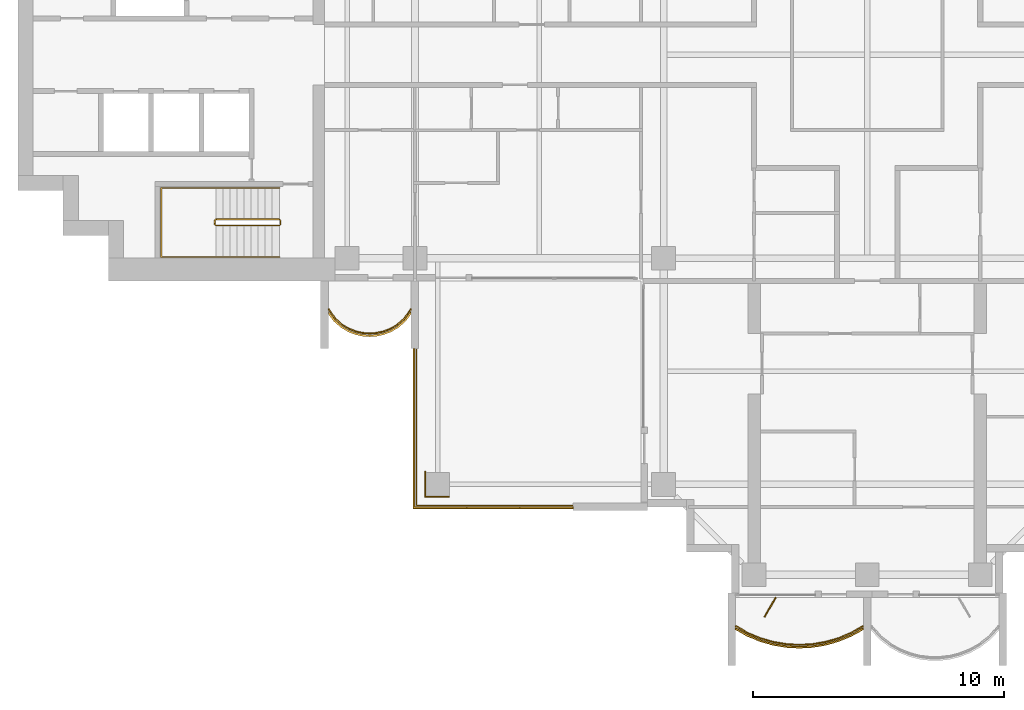
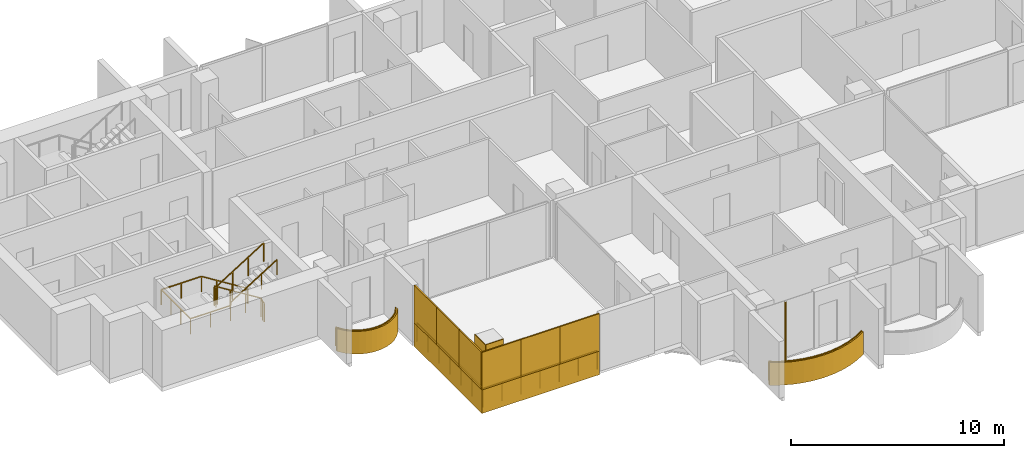
# One storey, part 14 of 17: 11 coverings, 5 railings, 1 shading device.
"""IFC4 building model written with IfcOpenShell, lengths in metres."""

import ifcopenshell
import ifcopenshell.guid

model = None  # the IFC model being written
_history = None  # IfcOwnerHistory: only IFC2X3 demands one
_inside = {}  # id of a spatial element -> (the spatial element, [elements in it])
_under = {}  # id of a project, library or spatial element -> (it, [spatial elements below it])
_declared = {}  # id of a project -> (the project, [libraries it declares])
_typed = {}  # id of a type object -> (the type object, [elements of that type])
_made_of = {}  # id of a material, layer set ... -> (it, [elements and type objects made of it])


def new_model(schema):
    """Start an empty IFC model of exactly this schema.

    Asked for "IFC4X3", IfcOpenShell would pick the latest addendum, in which some entities
    have other attributes; the version numbers below select the first issue.
    IFC2X3 requires an IfcOwnerHistory on every rooted entity: one is made here for all.
    """
    global model, _history
    if schema == "IFC4X3":
        model = ifcopenshell.file(schema_version=(4, 3, 0, 0))
    else:
        model = ifcopenshell.file(schema=schema)
    _inside.clear()
    _under.clear()
    _declared.clear()
    _typed.clear()
    _made_of.clear()
    _history = None
    if model.schema == "IFC2X3":
        org = make("IfcOrganization", Name="unknown")
        user = make(
            "IfcPersonAndOrganization",
            ThePerson=make("IfcPerson", FamilyName="unknown"),
            TheOrganization=org,
        )
        app = make(
            "IfcApplication",
            ApplicationDeveloper=org,
            Version="unknown",
            ApplicationFullName="unknown",
            ApplicationIdentifier="unknown",
        )
        _history = make(
            "IfcOwnerHistory",
            OwningUser=user,
            OwningApplication=app,
            ChangeAction="ADDED",
            CreationDate=0,
        )
    return model


def make(cls, **values):
    """One entity of the class cls with the attributes given. An attribute that is None is left unset."""
    return model.create_entity(
        cls, **{name: value for name, value in values.items() if value is not None}
    )


def rooted(cls, **values):
    """An entity with a GlobalId (a new one), such as an element, a storey or a relation."""
    return make(cls, GlobalId=ifcopenshell.guid.new(), OwnerHistory=_history, **values)


def si_unit(unit_type, name, prefix=None):
    """IfcSIUnit, for example si_unit("LENGTHUNIT", "METRE", prefix="MILLI")."""
    return make("IfcSIUnit", UnitType=unit_type, Prefix=prefix, Name=name)


def assignment(units):
    """IfcUnitAssignment: the units of a project."""
    return None if units is None else make("IfcUnitAssignment", Units=units)


def point(xyz):
    """IfcCartesianPoint."""
    return None if xyz is None else make("IfcCartesianPoint", Coordinates=xyz)


def direction(xyz):
    """IfcDirection."""
    return None if xyz is None else make("IfcDirection", DirectionRatios=xyz)


def frame(location, z_axis=None, x_axis=None):
    """IfcAxis2Placement3D, a coordinate frame: its origin and axes. An axis left out is left unset."""
    return make(
        "IfcAxis2Placement3D",
        Location=point(location),
        Axis=direction(z_axis),
        RefDirection=direction(x_axis),
    )


def frame_2d(location, x_axis=None):
    """IfcAxis2Placement2D, a coordinate frame in the plane: its origin and x axis."""
    return make(
        "IfcAxis2Placement2D", Location=point(location), RefDirection=direction(x_axis)
    )


def origin():
    """The frame at (0, 0, 0) with its axes left unset."""
    return frame((0.0, 0.0, 0.0))


def origin_2d():
    """The frame at (0, 0) in the plane with its x axis left unset."""
    return frame_2d((0.0, 0.0))


def place(relative_to, where):
    """IfcLocalPlacement: puts the frame where relative to a parent placement (None: the world)."""
    return make(
        "IfcLocalPlacement", PlacementRelTo=relative_to, RelativePlacement=where
    )


def context(
    kind, dimensions, precision=None, world=None, true_north=None, identifier=None
):
    """IfcGeometricRepresentationContext, for example the 3D "Model" context."""
    return make(
        "IfcGeometricRepresentationContext",
        ContextIdentifier=identifier,
        ContextType=kind,
        CoordinateSpaceDimension=dimensions,
        Precision=precision,
        WorldCoordinateSystem=world,
        TrueNorth=true_north,
    )


def subcontext(parent, identifier, kind, view, scale=None):
    """IfcGeometricRepresentationSubContext, for example "Body" below "Model"."""
    return make(
        "IfcGeometricRepresentationSubContext",
        ContextIdentifier=identifier,
        ContextType=kind,
        ParentContext=parent,
        TargetScale=scale,
        TargetView=view,
    )


def project(units=None, contexts=None):
    """IfcProject with its units and contexts."""
    return rooted(
        "IfcProject",
        Name="project",
        RepresentationContexts=contexts,
        UnitsInContext=assignment(units),
    )


def spatial(cls, under=None, at=None, **own):
    """A site, building, storey or space (cls), placed at a placement, below another one or the project."""
    s = rooted(cls, ObjectPlacement=at, **own)
    if under is not None:
        _under.setdefault(under.id(), (under, []))[1].append(s)
    return s


def polyline(points):
    """IfcPolyline through the points."""
    return make("IfcPolyline", Points=[point(p) for p in points])


def profile(cls, at=None, kind="AREA", **sizes):
    """A parametric profile (cls). Its sizes go by their IFC names, for example OverallWidth=200.0."""
    return make(cls, ProfileType=kind, Position=at, **sizes)


def rectangle(**sizes):
    """IfcRectangleProfileDef."""
    return profile("IfcRectangleProfileDef", **sizes)


def outline(outer, holes=None, kind="AREA"):
    """IfcArbitraryClosedProfileDef: a profile drawn as a closed curve; with holes, ...WithVoids."""
    if holes is None:
        return make("IfcArbitraryClosedProfileDef", ProfileType=kind, OuterCurve=outer)
    return make(
        "IfcArbitraryProfileDefWithVoids",
        ProfileType=kind,
        OuterCurve=outer,
        InnerCurves=holes,
    )


def extrude(swept, where, along, depth):
    """IfcExtrudedAreaSolid: the profile swept, set in the frame where, extruded along a direction by depth."""
    return make(
        "IfcExtrudedAreaSolid",
        SweptArea=swept,
        Position=where,
        ExtrudedDirection=direction(along),
        Depth=depth,
    )


def shape(context_of_items, identifier, shape_type, items):
    """IfcShapeRepresentation: the items that make up one representation, for example the "Body"."""
    return make(
        "IfcShapeRepresentation",
        ContextOfItems=context_of_items,
        RepresentationIdentifier=identifier,
        RepresentationType=shape_type,
        Items=items,
    )


def material(Name=None, Category=None):
    """IfcMaterial."""
    return make("IfcMaterial", Name=Name, Category=Category)


def layer(
    of_material, thickness, ventilated=None, Name=None, Category=None, Priority=None
):
    """IfcMaterialLayer: one layer of a wall or slab, of a material (None: an air gap)."""
    return make(
        "IfcMaterialLayer",
        Material=of_material,
        LayerThickness=thickness,
        IsVentilated=ventilated,
        Name=Name,
        Category=Category,
        Priority=Priority,
    )


def layer_set(layers, Name=None):
    """IfcMaterialLayerSet."""
    return make("IfcMaterialLayerSet", MaterialLayers=layers, LayerSetName=Name)


def made_of(thing, what):
    """Note that an element or type object is made of a material, layer set ...; save() writes the relation."""
    if what is not None:
        _made_of.setdefault(what.id(), (what, []))[1].append(thing)
    return thing


def type_object(cls, material=None, **own):
    """A type object (cls), such as IfcWallType, which elements share."""
    return made_of(rooted(cls, **own), material)


def element(
    cls,
    number,
    at=None,
    inside=None,
    cuts=None,
    type_object=None,
    material=None,
    context=None,
    identifier="Body",
    shape_type=None,
    held_by="IfcProductDefinitionShape",
    body=None,
    shapes=None,
    **own,
):
    """One element of the class cls, such as IfcWall. Its Tag is "e" and its number.

    at: its placement. inside: the storey or other place that contains it. cuts: it is an
    opening in that element (IfcRelVoidsElement). A single representation is given by context,
    identifier, shape_type and body (its items); several are given by shapes. held_by: the class
    of the entity that holds the representations. save() writes the other relations.
    """
    e = rooted(cls, Tag="e%d" % number, ObjectPlacement=at, **own)
    if body is not None:
        shapes = [shape(context, identifier, shape_type, body)]
    if shapes is not None:
        e.Representation = make(held_by, Representations=shapes)
    if inside is not None:
        _inside.setdefault(inside.id(), (inside, []))[1].append(e)
    if cuts is not None:
        rooted(
            "IfcRelVoidsElement", RelatingBuildingElement=cuts, RelatedOpeningElement=e
        )
    if type_object is not None:
        _typed.setdefault(type_object.id(), (type_object, []))[1].append(e)
    return made_of(e, material)


def aggregate(whole, parts):
    """IfcRelAggregates: a whole, such as a stair, and the parts it consists of."""
    return rooted("IfcRelAggregates", RelatingObject=whole, RelatedObjects=parts)


def save(model, path):
    """Write the relations noted so far, then the file.

    IfcRelAggregates (storeys below a building ...), IfcRelContainedInSpatialStructure (elements
    in a storey), IfcRelDefinesByType, IfcRelAssociatesMaterial and IfcRelDeclares: one each for
    every whole, place, type object, material and project.
    """
    for whole, parts in _under.values():
        aggregate(whole, parts)
    for where, things in _inside.values():
        rooted(
            "IfcRelContainedInSpatialStructure",
            RelatedElements=things,
            RelatingStructure=where,
        )
    for kind, things in _typed.values():
        rooted("IfcRelDefinesByType", RelatedObjects=things, RelatingType=kind)
    for what, things in _made_of.values():
        rooted("IfcRelAssociatesMaterial", RelatedObjects=things, RelatingMaterial=what)
    for by, libraries in _declared.values():
        rooted("IfcRelDeclares", RelatingContext=by, RelatedDefinitions=libraries)
    model.write(path)


model = new_model("IFC4")

# Units and contexts
model_context = context("Model", 3, precision=1e-05, world=origin(), true_north=direction((0.0, 1.0)))
body_context = subcontext(model_context, "Body", "Model", "MODEL_VIEW")
ifc_project = project(units=[si_unit("LENGTHUNIT", "METRE"), si_unit("AREAUNIT", "SQUARE_METRE"), si_unit("VOLUMEUNIT", "CUBIC_METRE"), si_unit("PLANEANGLEUNIT", "RADIAN"), si_unit("MASSUNIT", "GRAM", prefix="KILO")], contexts=[model_context])

# Site, building, storey
site_placement = place(None, origin())
site = spatial("IfcSite", under=ifc_project, at=site_placement, CompositionType="ELEMENT")
building_placement = place(site_placement, origin())
building = spatial("IfcBuilding", under=site, at=building_placement, Name="Perihelion Cross Residences", CompositionType="ELEMENT")
storey_placement = place(building_placement, frame((0.0, 0.0, 201.60009765625)))
storey = spatial("IfcBuildingStorey", under=building, at=storey_placement, Name="L50", CompositionType="ELEMENT", Elevation=201.60009765625)

# Coverings
ifc_material_1 = material(Name="Bronze anodised aluminium", Category="aluminium")
ifc_layer_1 = layer(ifc_material_1, 0.070068359375)
ifc_layer_set_1 = layer_set([ifc_layer_1], Name="Balcony fascia 1300")
covering_type_1 = type_object("IfcCoveringType", Name="Balcony fascia 1300", PredefinedType="CLADDING", material=ifc_layer_set_1)
covering_1_placement = place(storey_placement, frame((0.0, 0.0, -0.2001953125)))
element("IfcCovering", 1, at=covering_1_placement, inside=storey, type_object=covering_type_1, Name="Fascia BF1 L50 west side south bay 1", PredefinedType="CLADDING", context=body_context, shape_type="SweptSolid", body=[
    extrude(outline(polyline([(-21.226318359375, -10.616455078125), (-20.94091796875, -10.86328125), (-20.655517578125, -11.031494140625), (-20.370361328125, -11.142578125), (-20.085205078125, -11.206298828125), (-19.800048828125, -11.22705078125), (-19.514892578125, -11.206298828125), (-19.229736328125, -11.142578125), (-18.9443359375, -11.031494140625), (-18.6591796875, -10.86328125), (-18.373779296875, -10.616455078125), (-18.14990234375, -10.31689453125), (-18.14990234375, -10.199951171875), (-18.425048828125, -10.568603515625), (-18.699951171875, -10.806396484375), (-18.97509765625, -10.96875), (-19.25, -11.07568359375), (-19.52490234375, -11.136962890625), (-19.800048828125, -11.156982421875), (-20.074951171875, -11.136962890625), (-20.35009765625, -11.07568359375), (-20.625, -10.96875), (-20.89990234375, -10.806396484375), (-21.175048828125, -10.568603515625), (-21.449951171875, -10.199951171875), (-21.449951171875, -10.31689453125), (-21.226318359375, -10.616455078125)])), origin(), (0.0, 0.0, 1.0), 1.300048828125),
])
covering_2_placement = place(storey_placement, frame((0.0, 0.0, -0.2001953125)))
element("IfcCovering", 2, at=covering_2_placement, inside=storey, type_object=covering_type_1, Name="Fascia BF1 L50 south tip south bay 1", PredefinedType="CLADDING", context=body_context, shape_type="SweptSolid", body=[
    extrude(outline(polyline([(-4.7705078125, -23.1484375), (-4.2529296875, -23.36083984375), (-3.735107421875, -23.506591796875), (-3.217529296875, -23.591796875), (-2.699951171875, -23.6201171875), (-2.182373046875, -23.591796875), (-1.664794921875, -23.506591796875), (-1.147216796875, -23.36083984375), (-0.629638671875, -23.1484375), (-0.14990234375, -22.880126953125), (-0.14990234375, -22.800048828125), (-0.659912109375, -23.085205078125), (-1.169921875, -23.294677734375), (-1.679931640625, -23.438232421875), (-2.18994140625, -23.522216796875), (-2.699951171875, -23.550048828125), (-3.2099609375, -23.522216796875), (-3.719970703125, -23.438232421875), (-4.22998046875, -23.294677734375), (-4.739990234375, -23.085205078125), (-5.25, -22.800048828125), (-5.25, -22.880126953125), (-4.7705078125, -23.1484375)])), origin(), (0.0, 0.0, 1.0), 1.300048828125),
])

# Railings
ifc_material_2 = material(Name="Bronze anodised aluminium", Category="aluminium")
railing_type_1 = type_object("IfcRailingType", Name="Balcony guard 1100", PredefinedType="GUARDRAIL", material=ifc_material_2)
railing_1_placement = place(storey_placement, frame((-21.425048828125, -10.139892578125, 0.0)))
element("IfcRailing", 3, at=railing_1_placement, inside=storey, type_object=railing_type_1, Name="Guard GU1 L50 west side south bay 1 balcony", PredefinedType="GUARDRAIL", context=body_context, shape_type="SweptSolid", body=[
    extrude(rectangle(XDim=0.048095703125, YDim=0.048095703125, at=origin_2d()), frame((0.0, 0.0, 1.076171875), z_axis=(0.561260132269, -0.827639452857, 0.0), x_axis=(0.827639452857, 0.561260132269, 0.0)), (0.0, 0.0, 1.0), 0.4453125),
    extrude(rectangle(XDim=0.048095703125, YDim=0.048095703125, at=origin_2d()), frame((0.25, -0.36865234375, 1.076171875), z_axis=(0.756596535164, -0.653882009982, 0.0), x_axis=(0.653882009982, 0.756596535164, 0.0)), (0.0, 0.0, 1.0), 0.36376953125),
    extrude(rectangle(XDim=0.048095703125, YDim=0.048095703125, at=origin_2d()), frame((0.525146484375, -0.6064453125, 1.076171875), z_axis=(0.861048292884, -0.508523192511, 0.0), x_axis=(0.508523192511, 0.861048292884, 0.0)), (0.0, 0.0, 1.0), 0.3193359375),
    extrude(rectangle(XDim=0.048095703125, YDim=0.048095703125, at=origin_2d()), frame((0.800048828125, -0.768798828125, 1.076171875), z_axis=(0.931973602183, -0.362526143656, 0.0), x_axis=(0.362526143656, 0.931973602183, 0.0)), (0.0, 0.0, 1.0), 0.294921875),
    extrude(rectangle(XDim=0.048095703125, YDim=0.048095703125, at=origin_2d()), frame((1.074951171875, -0.875732421875, 1.076171875), z_axis=(0.976085059389, -0.21738895289, 0.0), x_axis=(0.21738895289, 0.976085059389, 0.0)), (0.0, 0.0, 1.0), 0.281982421875),
    extrude(rectangle(XDim=0.048095703125, YDim=0.048095703125, at=origin_2d()), frame((1.35009765625, -0.93701171875, 1.076171875), z_axis=(0.997358821833, -0.072631814734, 0.0), x_axis=(0.072631814734, 0.997358821833, 0.0)), (0.0, 0.0, 1.0), 0.275634765625),
    extrude(rectangle(XDim=0.048095703125, YDim=0.048095703125, at=origin_2d()), frame((1.625, -0.95703125, 1.076171875), z_axis=(0.997363488337, 0.072567707226, 0.0), x_axis=(-0.072567707226, 0.997363488337, 0.0)), (0.0, 0.0, 1.0), 0.27587890625),
    extrude(rectangle(XDim=0.048095703125, YDim=0.048095703125, at=origin_2d()), frame((1.900146484375, -0.93701171875, 1.076171875), z_axis=(0.976044077717, 0.217572880557, 0.0), x_axis=(-0.217572880557, 0.976044077717, 0.0)), (0.0, 0.0, 1.0), 0.28173828125),
    extrude(rectangle(XDim=0.048095703125, YDim=0.048095703125, at=origin_2d()), frame((2.175048828125, -0.875732421875, 1.076171875), z_axis=(0.931973602183, 0.362526143656, 0.0), x_axis=(-0.362526143656, 0.931973602183, 0.0)), (0.0, 0.0, 1.0), 0.294921875),
    extrude(rectangle(XDim=0.048095703125, YDim=0.048095703125, at=origin_2d()), frame((2.449951171875, -0.768798828125, 1.076171875), z_axis=(0.861245845072, 0.508188542123, 0.0), x_axis=(-0.508188542123, 0.861245845072, 0.0)), (0.0, 0.0, 1.0), 0.319580078125),
    extrude(rectangle(XDim=0.048095703125, YDim=0.048095703125, at=origin_2d()), frame((2.72509765625, -0.6064453125, 1.076171875), z_axis=(0.756309278473, 0.654214242658, 0.0), x_axis=(-0.654214242658, 0.756309278473, 0.0)), (0.0, 0.0, 1.0), 0.363525390625),
    extrude(rectangle(XDim=0.048095703125, YDim=0.048095703125, at=origin_2d()), frame((3.0, -0.36865234375, 1.076171875), z_axis=(0.561260132269, 0.827639452857, 0.0), x_axis=(-0.827639452857, 0.561260132269, 0.0)), (0.0, 0.0, 1.0), 0.4453125),
    extrude(rectangle(XDim=0.0419921875, YDim=0.0419921875, at=origin_2d()), origin(), (0.0, 0.0, 1.0), 1.052001953125),
    extrude(rectangle(XDim=0.0419921875, YDim=0.0419921875, at=origin_2d()), frame((0.25, -0.36865234375, 0.0)), (0.0, 0.0, 1.0), 1.052001953125),
    extrude(rectangle(XDim=0.0419921875, YDim=0.0419921875, at=origin_2d()), frame((0.525146484375, -0.6064453125, 0.0)), (0.0, 0.0, 1.0), 1.052001953125),
    extrude(rectangle(XDim=0.0419921875, YDim=0.0419921875, at=origin_2d()), frame((0.800048828125, -0.768798828125, 0.0)), (0.0, 0.0, 1.0), 1.052001953125),
    extrude(rectangle(XDim=0.0419921875, YDim=0.0419921875, at=origin_2d()), frame((1.074951171875, -0.875732421875, 0.0)), (0.0, 0.0, 1.0), 1.052001953125),
    extrude(rectangle(XDim=0.0419921875, YDim=0.0419921875, at=origin_2d()), frame((1.35009765625, -0.93701171875, 0.0)), (0.0, 0.0, 1.0), 1.052001953125),
    extrude(rectangle(XDim=0.0419921875, YDim=0.0419921875, at=origin_2d()), frame((1.625, -0.95703125, 0.0)), (0.0, 0.0, 1.0), 1.052001953125),
    extrude(rectangle(XDim=0.0419921875, YDim=0.0419921875, at=origin_2d()), frame((1.900146484375, -0.93701171875, 0.0)), (0.0, 0.0, 1.0), 1.052001953125),
    extrude(rectangle(XDim=0.0419921875, YDim=0.0419921875, at=origin_2d()), frame((2.175048828125, -0.875732421875, 0.0)), (0.0, 0.0, 1.0), 1.052001953125),
    extrude(rectangle(XDim=0.0419921875, YDim=0.0419921875, at=origin_2d()), frame((2.449951171875, -0.768798828125, 0.0)), (0.0, 0.0, 1.0), 1.052001953125),
    extrude(rectangle(XDim=0.0419921875, YDim=0.0419921875, at=origin_2d()), frame((2.72509765625, -0.6064453125, 0.0)), (0.0, 0.0, 1.0), 1.052001953125),
    extrude(rectangle(XDim=0.0419921875, YDim=0.0419921875, at=origin_2d()), frame((3.0, -0.36865234375, 0.0)), (0.0, 0.0, 1.0), 1.052001953125),
    extrude(rectangle(XDim=0.0419921875, YDim=0.0419921875, at=origin_2d()), frame((3.25, 0.0, 0.0)), (0.0, 0.0, 1.0), 1.052001953125),
])
railing_2_placement = place(storey_placement, frame((-5.22509765625, -22.739990234375, 0.0)))
element("IfcRailing", 4, at=railing_2_placement, inside=storey, type_object=railing_type_1, Name="Guard GU1 L50 south tip south bay 1 balcony", PredefinedType="GUARDRAIL", context=body_context, shape_type="SweptSolid", body=[
    extrude(rectangle(XDim=0.048095703125, YDim=0.048095703125, at=origin_2d()), frame((0.0, 0.0, 1.076171875), z_axis=(0.861900760591, -0.507076995033, 0.0), x_axis=(0.507076995033, 0.861900760591, 0.0)), (0.0, 0.0, 1.0), 0.562744140625),
    extrude(rectangle(XDim=0.048095703125, YDim=0.048095703125, at=origin_2d()), frame((0.485107421875, -0.285400390625, 1.076171875), z_axis=(0.925172605972, -0.379546636342, 0.0), x_axis=(0.379546636342, 0.925172605972, 0.0)), (0.0, 0.0, 1.0), 0.55126953125),
    extrude(rectangle(XDim=0.048095703125, YDim=0.048095703125, at=origin_2d()), frame((0.9951171875, -0.49462890625, 1.076171875), z_axis=(0.962594623481, -0.270945734134, 0.0), x_axis=(0.270945734134, 0.962594623481, 0.0)), (0.0, 0.0, 1.0), 0.52978515625),
    extrude(rectangle(XDim=0.048095703125, YDim=0.048095703125, at=origin_2d()), frame((1.505126953125, -0.63818359375, 1.076171875), z_axis=(0.98663538303, -0.162943612803, 0.0), x_axis=(0.162943612803, 0.98663538303, 0.0)), (0.0, 0.0, 1.0), 0.516845703125),
    extrude(rectangle(XDim=0.048095703125, YDim=0.048095703125, at=origin_2d()), frame((2.01513671875, -0.722412109375, 1.076171875), z_axis=(0.998540183677, -0.05401390175, 0.0), x_axis=(0.05401390175, 0.998540183677, 0.0)), (0.0, 0.0, 1.0), 0.5107421875),
    extrude(rectangle(XDim=0.048095703125, YDim=0.048095703125, at=origin_2d()), frame((2.525146484375, -0.75, 1.076171875), z_axis=(0.998540183677, 0.05401390175, 0.0), x_axis=(-0.05401390175, 0.998540183677, 0.0)), (0.0, 0.0, 1.0), 0.5107421875),
    extrude(rectangle(XDim=0.048095703125, YDim=0.048095703125, at=origin_2d()), frame((3.03515625, -0.722412109375, 1.076171875), z_axis=(0.98663538303, 0.162943612803, 0.0), x_axis=(-0.162943612803, 0.98663538303, 0.0)), (0.0, 0.0, 1.0), 0.516845703125),
    extrude(rectangle(XDim=0.048095703125, YDim=0.048095703125, at=origin_2d()), frame((3.545166015625, -0.63818359375, 1.076171875), z_axis=(0.962594623481, 0.270945734134, 0.0), x_axis=(-0.270945734134, 0.962594623481, 0.0)), (0.0, 0.0, 1.0), 0.52978515625),
    extrude(rectangle(XDim=0.048095703125, YDim=0.048095703125, at=origin_2d()), frame((4.05517578125, -0.49462890625, 1.076171875), z_axis=(0.925172605972, 0.379546636342, 0.0), x_axis=(-0.379546636342, 0.925172605972, 0.0)), (0.0, 0.0, 1.0), 0.55126953125),
    extrude(rectangle(XDim=0.048095703125, YDim=0.048095703125, at=origin_2d()), frame((4.565185546875, -0.285400390625, 1.076171875), z_axis=(0.861789164031, 0.507266632806, 0.0), x_axis=(-0.507266632806, 0.861789164031, 0.0)), (0.0, 0.0, 1.0), 0.562744140625),
    extrude(rectangle(XDim=0.0419921875, YDim=0.0419921875, at=origin_2d()), origin(), (0.0, 0.0, 1.0), 1.052001953125),
    extrude(rectangle(XDim=0.0419921875, YDim=0.0419921875, at=origin_2d()), frame((0.485107421875, -0.285400390625, 0.0)), (0.0, 0.0, 1.0), 1.052001953125),
    extrude(rectangle(XDim=0.0419921875, YDim=0.0419921875, at=origin_2d()), frame((0.9951171875, -0.49462890625, 0.0)), (0.0, 0.0, 1.0), 1.052001953125),
    extrude(rectangle(XDim=0.0419921875, YDim=0.0419921875, at=origin_2d()), frame((1.505126953125, -0.63818359375, 0.0)), (0.0, 0.0, 1.0), 1.052001953125),
    extrude(rectangle(XDim=0.0419921875, YDim=0.0419921875, at=origin_2d()), frame((2.01513671875, -0.722412109375, 0.0)), (0.0, 0.0, 1.0), 1.052001953125),
    extrude(rectangle(XDim=0.0419921875, YDim=0.0419921875, at=origin_2d()), frame((2.525146484375, -0.75, 0.0)), (0.0, 0.0, 1.0), 1.052001953125),
    extrude(rectangle(XDim=0.0419921875, YDim=0.0419921875, at=origin_2d()), frame((3.03515625, -0.722412109375, 0.0)), (0.0, 0.0, 1.0), 1.052001953125),
    extrude(rectangle(XDim=0.0419921875, YDim=0.0419921875, at=origin_2d()), frame((3.545166015625, -0.63818359375, 0.0)), (0.0, 0.0, 1.0), 1.052001953125),
    extrude(rectangle(XDim=0.0419921875, YDim=0.0419921875, at=origin_2d()), frame((4.05517578125, -0.49462890625, 0.0)), (0.0, 0.0, 1.0), 1.052001953125),
    extrude(rectangle(XDim=0.0419921875, YDim=0.0419921875, at=origin_2d()), frame((4.565185546875, -0.285400390625, 0.0)), (0.0, 0.0, 1.0), 1.052001953125),
    extrude(rectangle(XDim=0.0419921875, YDim=0.0419921875, at=origin_2d()), frame((5.050048828125, 0.0, 0.0)), (0.0, 0.0, 1.0), 1.052001953125),
])
railing_3_placement = place(storey_placement, frame((-11.739990234375, -17.93994140625, 0.0)))
element("IfcRailing", 5, at=railing_3_placement, inside=storey, type_object=railing_type_1, Name="Guard GU1 L50 pocket south-west 1", PredefinedType="GUARDRAIL", context=body_context, shape_type="SweptSolid", body=[
    extrude(rectangle(XDim=0.048095703125, YDim=0.048095703125, at=origin_2d()), frame((0.0, 0.0, 1.076171875), z_axis=(-1.0, 0.0, 0.0), x_axis=(0.0, -1.0, 0.0)), (0.0, 0.0, 1.0), 6.199951171875),
    extrude(rectangle(XDim=0.048095703125, YDim=0.048095703125, at=origin_2d()), frame((-6.199951171875, 0.0, 1.076171875), z_axis=(0.0, 1.0, 0.0), x_axis=(-1.0, 0.0, 0.0)), (0.0, 0.0, 1.0), 6.199951171875),
    extrude(rectangle(XDim=0.0419921875, YDim=0.0419921875, at=origin_2d()), origin(), (0.0, 0.0, 1.0), 1.052001953125),
    extrude(rectangle(XDim=0.0419921875, YDim=0.0419921875, at=origin_2d()), frame((-1.033203125, 0.0, 0.0)), (0.0, 0.0, 1.0), 1.052001953125),
    extrude(rectangle(XDim=0.0419921875, YDim=0.0419921875, at=origin_2d()), frame((-2.066650390625, 0.0, 0.0)), (0.0, 0.0, 1.0), 1.052001953125),
    extrude(rectangle(XDim=0.0419921875, YDim=0.0419921875, at=origin_2d()), frame((-3.10009765625, 0.0, 0.0)), (0.0, 0.0, 1.0), 1.052001953125),
    extrude(rectangle(XDim=0.0419921875, YDim=0.0419921875, at=origin_2d()), frame((-4.13330078125, 0.0, 0.0)), (0.0, 0.0, 1.0), 1.052001953125),
    extrude(rectangle(XDim=0.0419921875, YDim=0.0419921875, at=origin_2d()), frame((-5.16650390625, 0.0, 0.0)), (0.0, 0.0, 1.0), 1.052001953125),
    extrude(rectangle(XDim=0.0419921875, YDim=0.0419921875, at=origin_2d()), frame((-6.199951171875, 0.0, 0.0)), (0.0, 0.0, 1.0), 1.052001953125),
    extrude(rectangle(XDim=0.0419921875, YDim=0.0419921875, at=origin_2d()), frame((-6.199951171875, 1.033203125, 0.0)), (0.0, 0.0, 1.0), 1.052001953125),
    extrude(rectangle(XDim=0.0419921875, YDim=0.0419921875, at=origin_2d()), frame((-6.199951171875, 2.066650390625, 0.0)), (0.0, 0.0, 1.0), 1.052001953125),
    extrude(rectangle(XDim=0.0419921875, YDim=0.0419921875, at=origin_2d()), frame((-6.199951171875, 3.10009765625, 0.0)), (0.0, 0.0, 1.0), 1.052001953125),
    extrude(rectangle(XDim=0.0419921875, YDim=0.0419921875, at=origin_2d()), frame((-6.199951171875, 4.13330078125, 0.0)), (0.0, 0.0, 1.0), 1.052001953125),
    extrude(rectangle(XDim=0.0419921875, YDim=0.0419921875, at=origin_2d()), frame((-6.199951171875, 5.16650390625, 0.0)), (0.0, 0.0, 1.0), 1.052001953125),
    extrude(rectangle(XDim=0.0419921875, YDim=0.0419921875, at=origin_2d()), frame((-6.199951171875, 6.199951171875, 0.0)), (0.0, 0.0, 1.0), 1.052001953125),
])

# Coverings
ifc_material_3 = material(Name="Bronze anodised aluminium", Category="aluminium")
ifc_layer_2 = layer(ifc_material_3, 0.0400390625)
ifc_layer_set_2 = layer_set([ifc_layer_2], Name="Bronze column casing 40")
covering_type_2 = type_object("IfcCoveringType", Name="Bronze column casing 40", PredefinedType="CLADDING", material=ifc_layer_set_2)
covering_3_placement = place(storey_placement, frame((-17.594970703125, -17.10009765625, -0.25), z_axis=(0.0, 0.0, 1.0), x_axis=(1.0, 0.0, 0.0)))
element("IfcCovering", 6, at=covering_3_placement, inside=storey, type_object=covering_type_2, Name="Cladding CC1 L50 casing east-west no. 1", PredefinedType="CLADDING", context=body_context, shape_type="SweptSolid", body=[
    extrude(rectangle(XDim=0.0400390625, YDim=1.030029296875, at=origin_2d()), origin(), (0.0, 0.0, 1.0), 3.5),
])
covering_4_placement = place(storey_placement, frame((-17.10009765625, -17.594970703125, -0.25), z_axis=(0.0, 0.0, 1.0), x_axis=(1.0, 0.0, 0.0)))
element("IfcCovering", 7, at=covering_4_placement, inside=storey, type_object=covering_type_2, Name="Cladding CC1 L50 casing north-south no. 1", PredefinedType="CLADDING", context=body_context, shape_type="SweptSolid", body=[
    extrude(rectangle(XDim=0.949951171875, YDim=0.0400390625, at=origin_2d()), origin(), (0.0, 0.0, 1.0), 3.5),
])

# Shading device
ifc_material_4 = material(Name="Bronze anodised aluminium", Category="aluminium")
ifc_layer_3 = layer(ifc_material_4, 0.050048828125)
ifc_layer_set_3 = layer_set([ifc_layer_3], Name="Bronze fin 900")
shading_device_type = type_object("IfcShadingDeviceType", Name="Bronze fin 900", PredefinedType="USERDEFINED", material=ifc_layer_set_3)
shading_device_placement = place(storey_placement, frame((-3.862548828125, -21.98974609375, 0.0), z_axis=(0.0, 0.0, 1.0), x_axis=(-0.5, -0.866025403784, 0.0)))
element("IfcShadingDevice", 8, at=shading_device_placement, inside=storey, type_object=shading_device_type, Name="Fin FN1 L50 south tip south bay 1", ObjectType="FIN", PredefinedType="USERDEFINED", context=body_context, shape_type="SweptSolid", body=[
    extrude(rectangle(XDim=0.89990234375, YDim=0.050048828125, at=origin_2d()), origin(), (0.0, 0.0, 1.0), 3.25),
])

# Coverings
ifc_material_5 = material(Name="Bronze anodised aluminium", Category="aluminium")
ifc_layer_4 = layer(ifc_material_5, 0.070068359375)
ifc_layer_set_4 = layer_set([ifc_layer_4], Name="Pocket fascia 1350")
covering_type_3 = type_object("IfcCoveringType", Name="Pocket fascia 1350", PredefinedType="CLADDING", material=ifc_layer_set_4)
covering_5_placement = place(storey_placement, frame((0.0, 0.0, -0.25)))
element("IfcCovering", 9, at=covering_5_placement, inside=storey, type_object=covering_type_3, Name="Fascia BF2 L50 pocket south-west 1", PredefinedType="CLADDING", context=body_context, shape_type="SweptSolid", body=[
    extrude(outline(polyline([(-18.070068359375, -11.699951171875), (-18.070068359375, -18.070068359375), (-11.699951171875, -18.070068359375), (-11.699951171875, -18.0), (-18.0, -18.0), (-18.0, -11.699951171875), (-18.070068359375, -11.699951171875)])), origin(), (0.0, 0.0, 1.0), 1.349853515625),
])
ifc_material_6 = material(Name="Bronze perforated aluminium", Category="aluminium")
ifc_layer_5 = layer(ifc_material_6, 0.070068359375)
ifc_layer_set_5 = layer_set([ifc_layer_5], Name="Pocket solar screen, bronze perforated")
covering_type_4 = type_object("IfcCoveringType", Name="Pocket solar screen, bronze perforated", PredefinedType="CLADDING", material=ifc_layer_set_5)
covering_6_placement = place(storey_placement, frame((0.0, 0.0, 1.099853515625)))
element("IfcCovering", 10, at=covering_6_placement, inside=storey, type_object=covering_type_4, Name="Solar screen PS1 L50 pocket south-west no. 1", PredefinedType="CLADDING", context=body_context, shape_type="SweptSolid", body=[
    extrude(outline(polyline([(-18.0, -18.0), (-18.0, -15.89990234375), (-18.070068359375, -15.89990234375), (-18.070068359375, -18.0), (-18.0, -18.0)])), origin(), (0.0, 0.0, 1.0), 2.150146484375),
])
covering_7_placement = place(storey_placement, frame((0.0, 0.0, 1.099853515625)))
element("IfcCovering", 11, at=covering_7_placement, inside=storey, type_object=covering_type_4, Name="Solar screen PS1 L50 pocket south-west no. 2", PredefinedType="CLADDING", context=body_context, shape_type="SweptSolid", body=[
    extrude(outline(polyline([(-18.0, -15.89990234375), (-18.0, -13.800048828125), (-18.070068359375, -13.800048828125), (-18.070068359375, -15.89990234375), (-18.0, -15.89990234375)])), origin(), (0.0, 0.0, 1.0), 2.150146484375),
])
covering_8_placement = place(storey_placement, frame((0.0, 0.0, 1.099853515625)))
element("IfcCovering", 12, at=covering_8_placement, inside=storey, type_object=covering_type_4, Name="Solar screen PS1 L50 pocket south-west no. 3", PredefinedType="CLADDING", context=body_context, shape_type="SweptSolid", body=[
    extrude(outline(polyline([(-18.0, -13.800048828125), (-18.0, -11.699951171875), (-18.070068359375, -11.699951171875), (-18.070068359375, -13.800048828125), (-18.0, -13.800048828125)])), origin(), (0.0, 0.0, 1.0), 2.150146484375),
])
covering_9_placement = place(storey_placement, frame((0.0, 0.0, 1.099853515625)))
element("IfcCovering", 13, at=covering_9_placement, inside=storey, type_object=covering_type_4, Name="Solar screen PS1 L50 pocket south-west no. 4", PredefinedType="CLADDING", context=body_context, shape_type="SweptSolid", body=[
    extrude(outline(polyline([(-15.94677734375, -18.070068359375), (-15.94677734375, -18.0), (-18.070068359375, -18.0), (-18.070068359375, -18.070068359375), (-15.94677734375, -18.070068359375)])), origin(), (0.0, 0.0, 1.0), 2.150146484375),
])
covering_10_placement = place(storey_placement, frame((0.0, 0.0, 1.099853515625)))
element("IfcCovering", 14, at=covering_10_placement, inside=storey, type_object=covering_type_4, Name="Solar screen PS1 L50 pocket south-west no. 5", PredefinedType="CLADDING", context=body_context, shape_type="SweptSolid", body=[
    extrude(outline(polyline([(-13.8232421875, -18.070068359375), (-13.8232421875, -18.0), (-15.94677734375, -18.0), (-15.94677734375, -18.070068359375), (-13.8232421875, -18.070068359375)])), origin(), (0.0, 0.0, 1.0), 2.150146484375),
])
covering_11_placement = place(storey_placement, frame((0.0, 0.0, 1.099853515625)))
element("IfcCovering", 15, at=covering_11_placement, inside=storey, type_object=covering_type_4, Name="Solar screen PS1 L50 pocket south-west no. 6", PredefinedType="CLADDING", context=body_context, shape_type="SweptSolid", body=[
    extrude(outline(polyline([(-11.699951171875, -18.070068359375), (-11.699951171875, -18.0), (-13.8232421875, -18.0), (-13.8232421875, -18.070068359375), (-11.699951171875, -18.070068359375)])), origin(), (0.0, 0.0, 1.0), 2.150146484375),
])

# Railings
ifc_material_7 = material(Name="Stainless steel", Category="steel")
railing_type_2 = type_object("IfcRailingType", Name="Stair guard 1100", PredefinedType="GUARDRAIL", material=ifc_material_7)
railing_4_placement = place(storey_placement, frame((-23.35009765625, -6.75, 0.0)))
element("IfcRailing", 16, at=railing_4_placement, inside=storey, type_object=railing_type_2, Name="L50 ST-W2 stair guard 1", PredefinedType="GUARDRAIL", context=body_context, shape_type="SweptSolid", body=[
    extrude(rectangle(XDim=0.048095703125, YDim=0.048095703125, at=origin_2d()), frame((0.0, 0.0, 1.076171875), z_axis=(0.0, 1.0, 0.0), x_axis=(-1.0, 0.0, 0.0)), (0.0, 0.0, 1.0), 0.14990234375),
    extrude(rectangle(XDim=0.048095703125, YDim=0.048095703125, at=origin_2d()), frame((0.0, 0.14990234375, 1.076171875), z_axis=(-0.264179342666, 0.265474339444, 0.927217692888), x_axis=(-0.708833529934, -0.705375805398, 0.0)), (0.0, 0.0, 1.0), 0.1884765625),
    extrude(rectangle(XDim=0.048095703125, YDim=0.048095703125, at=origin_2d()), frame((-0.0498046875, 0.199951171875, 1.2509765625), z_axis=(-0.847970611238, 0.0, 0.530043245855), x_axis=(0.0, -1.0, 0.0)), (0.0, 0.0, 1.0), 2.971923828125),
    extrude(rectangle(XDim=0.048095703125, YDim=0.048095703125, at=origin_2d()), frame((-2.56982421875, 0.199951171875, 2.826171875), z_axis=(-0.707106781187, -0.707106781187, 0.0), x_axis=(0.707106781187, -0.707106781187, 0.0)), (0.0, 0.0, 1.0), 0.07080078125),
    extrude(rectangle(XDim=0.048095703125, YDim=0.048095703125, at=origin_2d()), frame((-2.619873046875, 0.14990234375, 2.826171875), z_axis=(0.0, -1.0, 0.0), x_axis=(1.0, 0.0, 0.0)), (0.0, 0.0, 1.0), 0.14990234375),
    extrude(rectangle(XDim=0.048095703125, YDim=0.048095703125, at=origin_2d()), frame((-2.619873046875, 0.0, 2.826171875), z_axis=(0.265383341853, -0.265383341853, 0.926899867156), x_axis=(0.707106781187, 0.707106781187, 0.0)), (0.0, 0.0, 1.0), 0.1884765625),
    extrude(rectangle(XDim=0.048095703125, YDim=0.048095703125, at=origin_2d()), frame((-2.56982421875, -0.050048828125, 3.0009765625), z_axis=(0.847970611238, 0.0, 0.530043245855), x_axis=(0.0, 1.0, 0.0)), (0.0, 0.0, 1.0), 2.971923828125),
    extrude(rectangle(XDim=0.0419921875, YDim=0.0419921875, at=origin_2d()), origin(), (0.0, 0.0, 1.0), 1.052001953125),
    extrude(rectangle(XDim=0.0419921875, YDim=0.0419921875, at=origin_2d()), frame((0.0, 0.14990234375, 0.0)), (0.0, 0.0, 1.0), 1.052001953125),
    extrude(rectangle(XDim=0.0419921875, YDim=0.0419921875, at=origin_2d()), frame((-0.0498046875, 0.199951171875, 0.1748046875)), (0.0, 0.0, 1.0), 1.052001953125),
    extrude(rectangle(XDim=0.0419921875, YDim=0.0419921875, at=origin_2d()), frame((-0.889892578125, 0.199951171875, 0.699951171875)), (0.0, 0.0, 1.0), 1.052001953125),
    extrude(rectangle(XDim=0.0419921875, YDim=0.0419921875, at=origin_2d()), frame((-1.729736328125, 0.199951171875, 1.224853515625)), (0.0, 0.0, 1.0), 1.052001953125),
    extrude(rectangle(XDim=0.0419921875, YDim=0.0419921875, at=origin_2d()), frame((-2.56982421875, 0.199951171875, 1.75)), (0.0, 0.0, 1.0), 1.052001953125),
    extrude(rectangle(XDim=0.0419921875, YDim=0.0419921875, at=origin_2d()), frame((-2.619873046875, 0.14990234375, 1.75)), (0.0, 0.0, 1.0), 1.052001953125),
    extrude(rectangle(XDim=0.0419921875, YDim=0.0419921875, at=origin_2d()), frame((-2.619873046875, 0.0, 1.75)), (0.0, 0.0, 1.0), 1.052001953125),
    extrude(rectangle(XDim=0.0419921875, YDim=0.0419921875, at=origin_2d()), frame((-2.56982421875, -0.050048828125, 1.9248046875)), (0.0, 0.0, 1.0), 1.052001953125),
    extrude(rectangle(XDim=0.0419921875, YDim=0.0419921875, at=origin_2d()), frame((-1.729736328125, -0.050048828125, 2.449951171875)), (0.0, 0.0, 1.0), 1.052001953125),
    extrude(rectangle(XDim=0.0419921875, YDim=0.0419921875, at=origin_2d()), frame((-0.889892578125, -0.050048828125, 2.974853515625)), (0.0, 0.0, 1.0), 1.052001953125),
    extrude(rectangle(XDim=0.0419921875, YDim=0.0419921875, at=origin_2d()), frame((-0.0498046875, -0.050048828125, 3.5)), (0.0, 0.0, 1.0), 1.052001953125),
])
ifc_material_8 = material(Name="Stainless steel", Category="steel")
railing_type_3 = type_object("IfcRailingType", Name="Stair handrail 900", PredefinedType="HANDRAIL", material=ifc_material_8)
railing_5_placement = place(storey_placement, frame((-23.39990234375, -5.300048828125, 0.1748046875)))
element("IfcRailing", 17, at=railing_5_placement, inside=storey, type_object=railing_type_3, Name="L50 ST-W2 stair handrail 1", PredefinedType="HANDRAIL", context=body_context, shape_type="SweptSolid", body=[
    extrude(rectangle(XDim=0.048095703125, YDim=0.048095703125, at=origin_2d()), frame((0.0, 0.0, 0.8759765625), z_axis=(-0.847970611238, 0.0, 0.530043245855), x_axis=(0.0, -1.0, 0.0)), (0.0, 0.0, 1.0), 2.971923828125),
    extrude(rectangle(XDim=0.048095703125, YDim=0.048095703125, at=origin_2d()), frame((-2.52001953125, 0.0, 2.451171875), z_axis=(-1.0, 0.0, 0.0), x_axis=(0.0, -1.0, 0.0)), (0.0, 0.0, 1.0), 2.18017578125),
    extrude(rectangle(XDim=0.048095703125, YDim=0.048095703125, at=origin_2d()), frame((-4.7001953125, 0.0, 2.451171875), z_axis=(0.0, -1.0, 0.0), x_axis=(1.0, 0.0, 0.0)), (0.0, 0.0, 1.0), 2.75),
    extrude(rectangle(XDim=0.048095703125, YDim=0.048095703125, at=origin_2d()), frame((-4.7001953125, -2.75, 2.451171875), z_axis=(1.0, 0.0, 0.0), x_axis=(0.0, 1.0, 0.0)), (0.0, 0.0, 1.0), 2.18017578125),
    extrude(rectangle(XDim=0.048095703125, YDim=0.048095703125, at=origin_2d()), frame((-2.52001953125, -2.75, 2.451171875), z_axis=(0.0, 0.0, 1.0), x_axis=(1.0, 0.0, 0.0)), (0.0, 0.0, 1.0), 0.1748046875),
    extrude(rectangle(XDim=0.048095703125, YDim=0.048095703125, at=origin_2d()), frame((-2.52001953125, -2.75, 2.6259765625), z_axis=(0.847970611238, 0.0, 0.530043245855), x_axis=(0.0, 1.0, 0.0)), (0.0, 0.0, 1.0), 2.971923828125),
    extrude(rectangle(XDim=0.0419921875, YDim=0.0419921875, at=origin_2d()), origin(), (0.0, 0.0, 1.0), 0.851806640625),
    extrude(rectangle(XDim=0.0419921875, YDim=0.0419921875, at=origin_2d()), frame((-0.840087890625, 0.0, 0.525146484375)), (0.0, 0.0, 1.0), 0.851806640625),
    extrude(rectangle(XDim=0.0419921875, YDim=0.0419921875, at=origin_2d()), frame((-1.679931640625, 0.0, 1.050048828125)), (0.0, 0.0, 1.0), 0.851806640625),
    extrude(rectangle(XDim=0.0419921875, YDim=0.0419921875, at=origin_2d()), frame((-2.52001953125, 0.0, 1.5751953125)), (0.0, 0.0, 1.0), 0.851806640625),
    extrude(rectangle(XDim=0.0419921875, YDim=0.0419921875, at=origin_2d()), frame((-3.610107421875, 0.0, 1.5751953125)), (0.0, 0.0, 1.0), 0.851806640625),
    extrude(rectangle(XDim=0.0419921875, YDim=0.0419921875, at=origin_2d()), frame((-4.7001953125, 0.0, 1.5751953125)), (0.0, 0.0, 1.0), 0.851806640625),
    extrude(rectangle(XDim=0.0419921875, YDim=0.0419921875, at=origin_2d()), frame((-4.7001953125, -0.916748046875, 1.5751953125)), (0.0, 0.0, 1.0), 0.851806640625),
    extrude(rectangle(XDim=0.0419921875, YDim=0.0419921875, at=origin_2d()), frame((-4.7001953125, -1.833251953125, 1.5751953125)), (0.0, 0.0, 1.0), 0.851806640625),
    extrude(rectangle(XDim=0.0419921875, YDim=0.0419921875, at=origin_2d()), frame((-4.7001953125, -2.75, 1.5751953125)), (0.0, 0.0, 1.0), 0.851806640625),
    extrude(rectangle(XDim=0.0419921875, YDim=0.0419921875, at=origin_2d()), frame((-3.610107421875, -2.75, 1.5751953125)), (0.0, 0.0, 1.0), 0.851806640625),
    extrude(rectangle(XDim=0.0419921875, YDim=0.0419921875, at=origin_2d()), frame((-2.52001953125, -2.75, 1.5751953125)), (0.0, 0.0, 1.0), 0.851806640625),
    extrude(rectangle(XDim=0.0419921875, YDim=0.0419921875, at=origin_2d()), frame((-2.52001953125, -2.75, 1.75)), (0.0, 0.0, 1.0), 0.851806640625),
    extrude(rectangle(XDim=0.0419921875, YDim=0.0419921875, at=origin_2d()), frame((-1.679931640625, -2.75, 2.275146484375)), (0.0, 0.0, 1.0), 0.851806640625),
    extrude(rectangle(XDim=0.0419921875, YDim=0.0419921875, at=origin_2d()), frame((-0.840087890625, -2.75, 2.800048828125)), (0.0, 0.0, 1.0), 0.851806640625),
    extrude(rectangle(XDim=0.0419921875, YDim=0.0419921875, at=origin_2d()), frame((0.0, -2.75, 3.3251953125)), (0.0, 0.0, 1.0), 0.851806640625),
])

save(model, "model.ifc")
